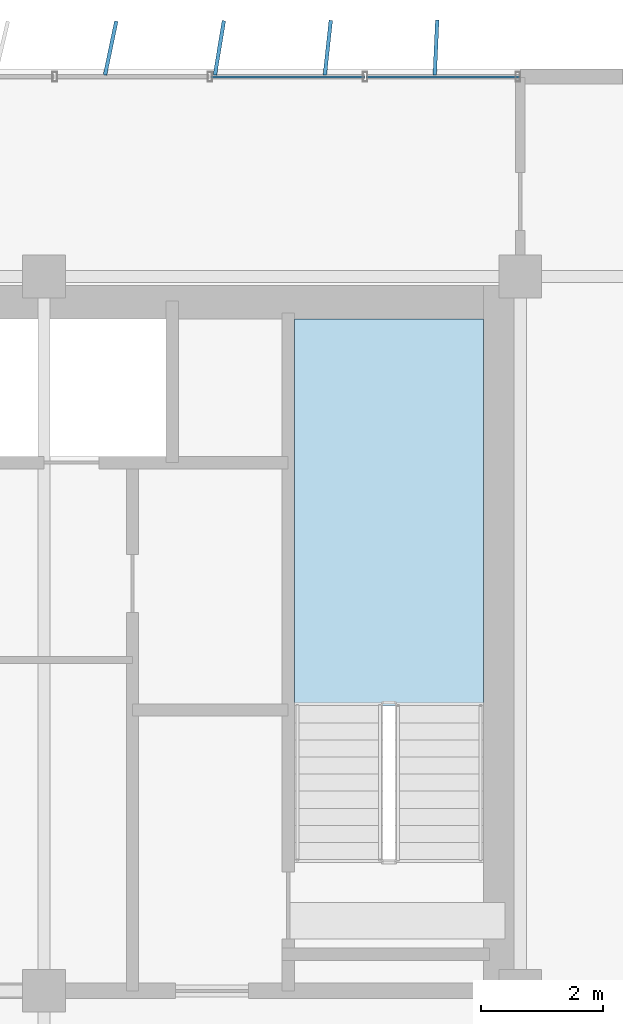
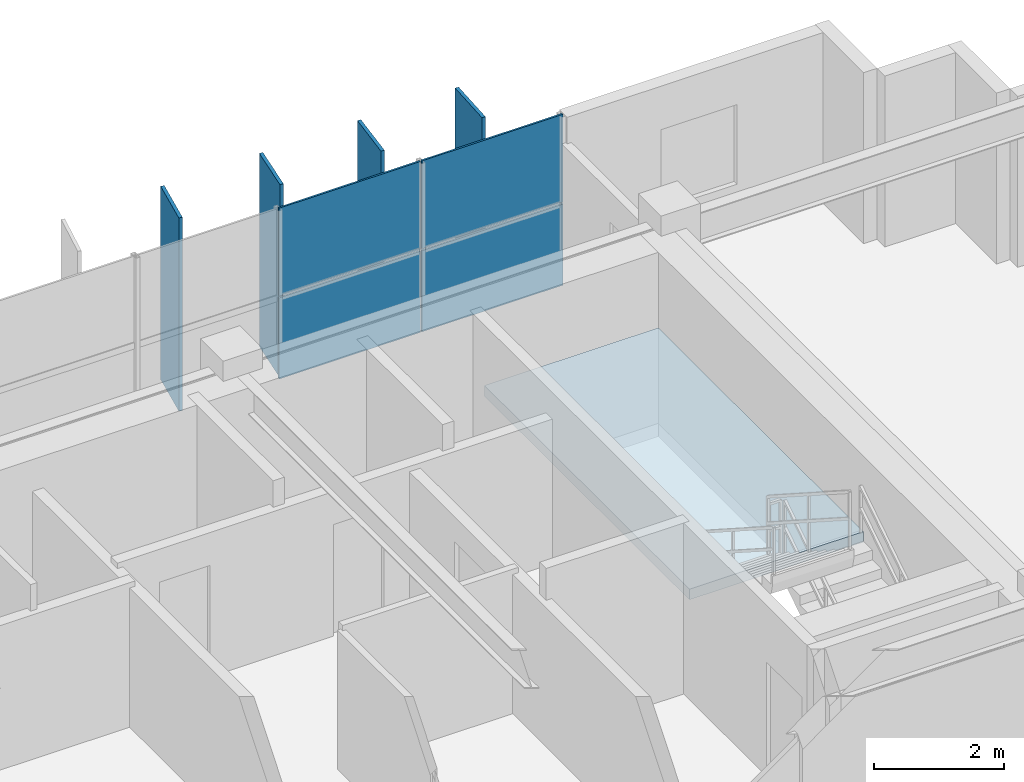
# One storey, part 17 of 24: 8 plates, 1 slab, 2 elements without a shape of their own.
"""IFC4 building model written with IfcOpenShell, lengths in metres."""

from ifc_helpers import new_model, si_unit, direction, frame, origin, origin_2d, place, context, subcontext, project, spatial, polyline, rectangle, outline, extrude, source, transform, mapped, material, layer, layer_set, type_object, element, aggregate, save


model = new_model("IFC4")

# Units and contexts
model_context = context("Model", 3, precision=1e-05, world=origin(), true_north=direction((0.0, 1.0)))
body_context = subcontext(model_context, "Body", "Model", "MODEL_VIEW")
ifc_project = project(units=[si_unit("LENGTHUNIT", "METRE"), si_unit("AREAUNIT", "SQUARE_METRE"), si_unit("VOLUMEUNIT", "CUBIC_METRE"), si_unit("PLANEANGLEUNIT", "RADIAN"), si_unit("MASSUNIT", "GRAM", prefix="KILO")], contexts=[model_context])

# Site, building, storey
site_placement = place(None, origin())
site = spatial("IfcSite", under=ifc_project, at=site_placement, CompositionType="ELEMENT")
building_placement = place(site_placement, origin())
building = spatial("IfcBuilding", under=site, at=building_placement, Name="Trelvane Seafront Commons", CompositionType="ELEMENT")
storey_placement = place(building_placement, frame((0.0, 0.0, 178.89990234375)))
storey = spatial("IfcBuildingStorey", under=building, at=storey_placement, Name="L47", CompositionType="ELEMENT", Elevation=178.89990234375)

# Stair, slab
ifc_material_1 = material(Name="Concrete C40/50", Category="concrete")
stair_type = type_object("IfcStairType", Name="ARCH-STR-ST-2-R20-180", PredefinedType="HALF_TURN_STAIR", material=ifc_material_1)
stair_placement = place(storey_placement, origin())
stair = element("IfcStair", 1, at=stair_placement, inside=storey, type_object=stair_type, Name="L47 East Protected Firefighting Exit Stair ST-2", PredefinedType="HALF_TURN_STAIR")
ifc_layer_1 = layer(ifc_material_1, 0.199951171875, Name="ARCH-LND-200")
ifc_layer_set_1 = layer_set([ifc_layer_1], Name="Concrete C40/50")
slab_type = type_object("IfcSlabType", Name="ARCH-LND-200", PredefinedType="LANDING", material=ifc_layer_set_1)
slab_placement = place(storey_placement, frame((0.0, 0.0, 1.60009765625)))
slab = element("IfcSlab", 2, at=slab_placement, type_object=slab_type, Name="ST-2 landing 1", PredefinedType="LANDING", context=body_context, shape_type="SweptSolid", body=[
    extrude(outline(polyline([(58.199951171875, 38.070068359375), (58.199951171875, 44.39990234375), (55.10009765625, 44.39990234375), (55.10009765625, 38.070068359375), (58.199951171875, 38.070068359375)])), origin(), (0.0, 0.0, 1.0), 0.199951171875),
])
aggregate(stair, [slab])

# Plates
ifc_material_2 = material(Name="Anodised pale-silver aluminium", Category="aluminium")
ifc_layer_2 = layer(ifc_material_2, 0.06005859375, Name="ARCH-PLATE-FIN900")
ifc_layer_set_2 = layer_set([ifc_layer_2], Name="Anodised pale-silver aluminium")
plate_type_1 = type_object("IfcPlateType", Name="ARCH-PLATE-FIN900", PredefinedType="USERDEFINED", material=ifc_layer_set_2)
shared_shape_1 = source(origin(), body_context, "Body", "SweptSolid", [
    extrude(rectangle(XDim=0.89990234375, YDim=0.06005859375, at=origin_2d()), origin(), (0.0, 0.0, 1.0), 3.639892578125),
])
for number, where, z_axis, x_axis, name in (
    (3, (52.092041015625, 48.840576171875, -0.02001953125), (0.0, 0.0, 1.0), (0.204677143605, 0.978829539238, 0.0), "FIN-L47-01327"),
    (4, (53.873046875, 48.843994140625, -0.02001953125), (0.0, 0.0, 1.0), (0.162452898533, 0.98671629953, 0.0), "FIN-L47-01328"),
    (5, (55.6484375, 48.847412109375, -0.02001953125), (0.0, 0.0, 1.0), (0.107772052066, 0.994175630758, 0.0), "FIN-L47-01329"),
    (6, (57.420166015625, 48.849609375, -0.02001953125), (0.0, 0.0, 1.0), (0.04488874218, 0.998991992373, 0.0), "FIN-L47-01330"),
):
    element("IfcPlate", number, at=place(storey_placement, frame(where, z_axis=z_axis, x_axis=x_axis)), inside=storey, type_object=plate_type_1, Name=name, ObjectType="FIN", PredefinedType="USERDEFINED", context=body_context, shape_type="MappedRepresentation", body=[
        mapped(shared_shape_1, transform((0.0, 0.0, 0.0), x_axis=(1.0, 0.0, 0.0), y_axis=(0.0, 1.0, 0.0), z_axis=(0.0, 0.0, 1.0), scale=1.0)),
    ])

# Curtain wall, plates
curtain_wall_type = type_object("IfcCurtainWallType", Name="ARCH-CW5-UPTOWER", PredefinedType="NOTDEFINED", material=ifc_material_2)
curtain_wall_placement = place(storey_placement, origin())
curtain_wall = element("IfcCurtainWall", 7, at=curtain_wall_placement, inside=storey, type_object=curtain_wall_type, Name="CW-L47-0075", PredefinedType="NOTDEFINED")
ifc_material_3 = material(Name="Low-E coastal double glazing", Category="glass")
ifc_layer_3 = layer(ifc_material_3, 0.033935546875, Name="ARCH-CW-GLAZ-34")
ifc_layer_set_3 = layer_set([ifc_layer_3], Name="Low-E coastal double glazing")
plate_type_2 = type_object("IfcPlateType", Name="ARCH-CW-GLAZ-34", PredefinedType="CURTAIN_PANEL", material=ifc_layer_set_3)
shared_shape_2 = source(origin(), body_context, "Body", "SweptSolid", [
    extrude(rectangle(XDim=2.51708984375, YDim=0.033935546875, at=origin_2d()), origin(), (0.0, 0.0, 1.0), 1.528076171875),
])
plate_1_placement = place(storey_placement, frame((54.98828125, 48.3701171875, 0.0), z_axis=(0.0, 0.0, 1.0), x_axis=(1.0, 0.0, 0.0)))
plate_1 = element("IfcPlate", 8, at=plate_1_placement, type_object=plate_type_2, Name="CW-L47-0075-P15-1", PredefinedType="CURTAIN_PANEL", context=body_context, shape_type="MappedRepresentation", body=[
    mapped(shared_shape_2, transform((0.0, 0.0, 0.0), x_axis=(1.0, 0.0, 0.0), y_axis=(0.0, 1.0, 0.0), z_axis=(0.0, 0.0, 1.0), scale=1.0)),
])
plate_2_placement = place(storey_placement, frame((57.529296875, 48.3701171875, 0.0), z_axis=(0.0, 0.0, 1.0), x_axis=(1.0, 0.0, 0.0)))
plate_2 = element("IfcPlate", 9, at=plate_2_placement, type_object=plate_type_2, Name="CW-L47-0075-P16-1", PredefinedType="CURTAIN_PANEL", context=body_context, shape_type="MappedRepresentation", body=[
    mapped(shared_shape_2, transform((0.0, 0.0, 0.0), x_axis=(1.0, 0.0, 0.0), y_axis=(0.0, 1.0, 0.0), z_axis=(0.0, 0.0, 1.0), scale=1.0)),
])
shared_shape_3 = source(origin(), body_context, "Body", "SweptSolid", [
    extrude(rectangle(XDim=2.51708984375, YDim=0.033935546875, at=origin_2d()), origin(), (0.0, 0.0, 1.0), 1.656005859375),
])
plate_3_placement = place(storey_placement, frame((54.98828125, 48.3701171875, 1.56396484375), z_axis=(0.0, 0.0, 1.0), x_axis=(1.0, 0.0, 0.0)))
plate_3 = element("IfcPlate", 10, at=plate_3_placement, type_object=plate_type_2, Name="CW-L47-0075-P15-2", PredefinedType="CURTAIN_PANEL", context=body_context, shape_type="MappedRepresentation", body=[
    mapped(shared_shape_3, transform((0.0, 0.0, 0.0), x_axis=(1.0, 0.0, 0.0), y_axis=(0.0, 1.0, 0.0), z_axis=(0.0, 0.0, 1.0), scale=1.0)),
])
plate_4_placement = place(storey_placement, frame((57.529296875, 48.3701171875, 1.56396484375), z_axis=(0.0, 0.0, 1.0), x_axis=(1.0, 0.0, 0.0)))
plate_4 = element("IfcPlate", 11, at=plate_4_placement, type_object=plate_type_2, Name="CW-L47-0075-P16-2", PredefinedType="CURTAIN_PANEL", context=body_context, shape_type="MappedRepresentation", body=[
    mapped(shared_shape_3, transform((0.0, 0.0, 0.0), x_axis=(1.0, 0.0, 0.0), y_axis=(0.0, 1.0, 0.0), z_axis=(0.0, 0.0, 1.0), scale=1.0)),
])
aggregate(curtain_wall, [plate_1, plate_3, plate_2, plate_4])

save(model, "model.ifc")
